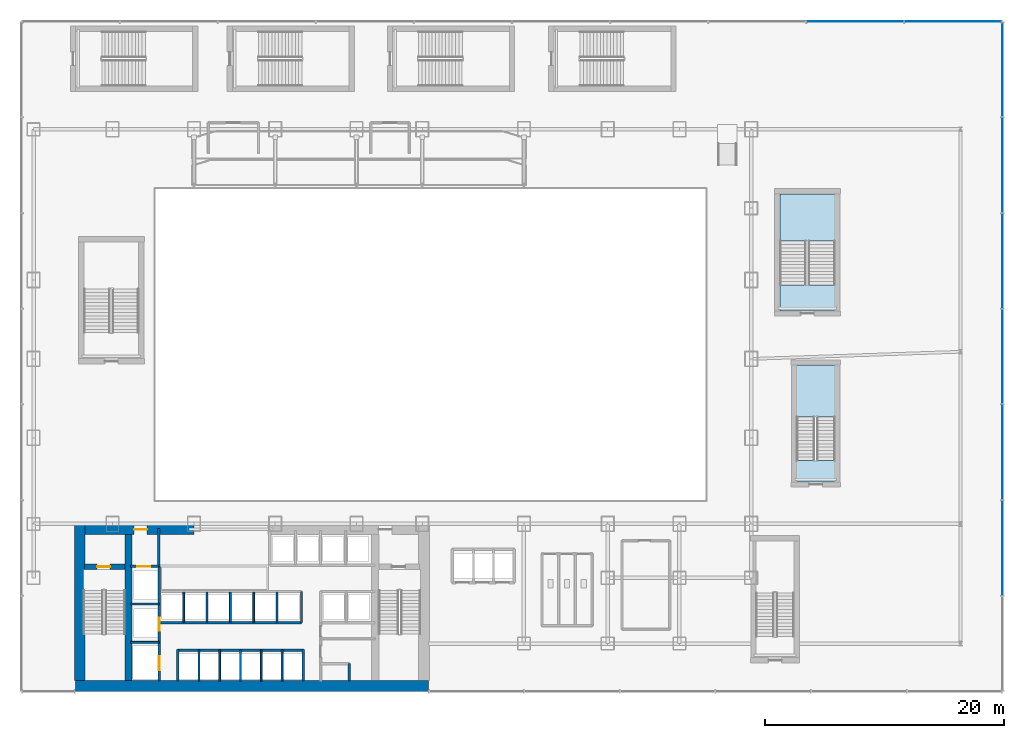
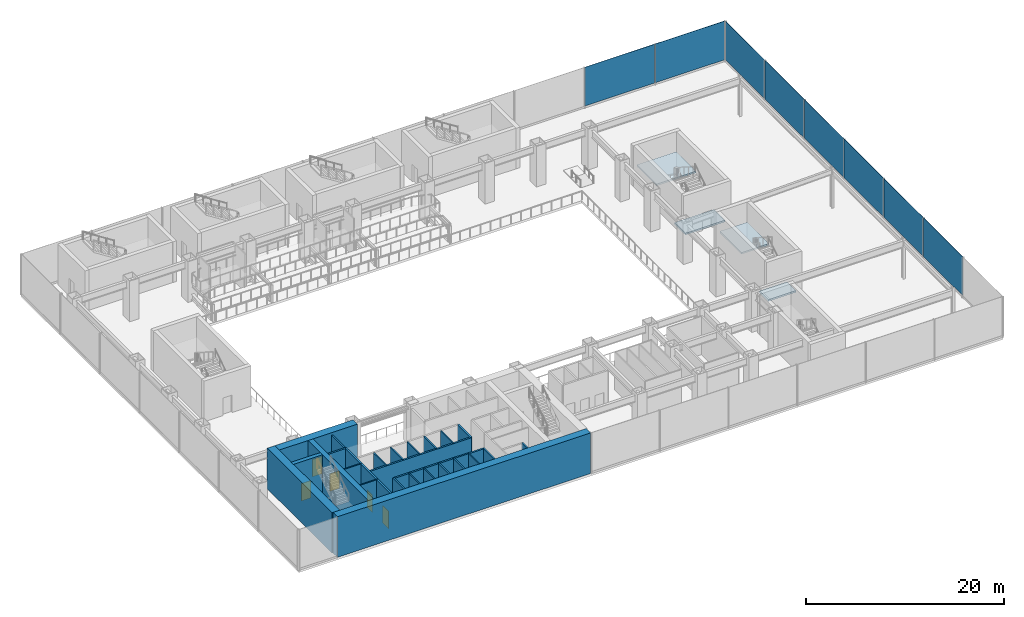
# One storey, part 28 of 39: 26 walls, 8 plates, 5 doors, 4 slabs, 5 openings, 4 elements without a shape of their own.
"""IFC4 building model written with IfcOpenShell, lengths in metres."""

from ifc_helpers import new_model, si_unit, derived_unit, direction, frame, frame_2d, origin, origin_2d, place, context, subcontext, project, spatial, polyline, rectangle, outline, extrude, source, transform, mapped, material, layer, layer_set, type_object, element, fill, aggregate, save


model = new_model("IFC4")

# Units and contexts
model_context = context("Model", 3, precision=1e-05, world=origin(), true_north=direction((0.0, 1.0)))
body_context = subcontext(model_context, "Body", "Model", "MODEL_VIEW")
ifc_project = project(units=[si_unit("LENGTHUNIT", "METRE"), si_unit("AREAUNIT", "SQUARE_METRE"), si_unit("VOLUMEUNIT", "CUBIC_METRE"), si_unit("PLANEANGLEUNIT", "RADIAN"), si_unit("MASSUNIT", "GRAM", prefix="KILO"), derived_unit("THERMALTRANSMITTANCEUNIT", [(si_unit("POWERUNIT", "WATT"), 1), (si_unit("LENGTHUNIT", "METRE"), -2), (si_unit("THERMODYNAMICTEMPERATUREUNIT", "KELVIN"), -1)])], contexts=[model_context])

# Site, building, storey
site_placement = place(None, origin())
site = spatial("IfcSite", under=ifc_project, at=site_placement, CompositionType="ELEMENT")
building_placement = place(site_placement, origin())
building = spatial("IfcBuilding", under=site, at=building_placement, Name="Skarnbrae Concourse Arena and Tower", CompositionType="ELEMENT")
storey_placement = place(building_placement, frame((0.0, 0.0, 16.0)))
storey = spatial("IfcBuildingStorey", under=building, at=storey_placement, Name="L03", CompositionType="ELEMENT", Elevation=16.0)

# Slab
ifc_material_1 = material(Name="Concrete 40 MPa (C40/50)", Category="concrete")
ifc_layer_1 = layer(ifc_material_1, 0.199951171875)
ifc_layer_set_1 = layer_set([ifc_layer_1], Name="Concrete 40 MPa (C40/50)")
slab_type = type_object("IfcSlabType", Name="SLAB-LANDING-200", PredefinedType="LANDING", material=ifc_layer_set_1)
slab_1_placement = place(storey_placement, frame((0.0, 0.0, -0.199951171875)))
element("IfcSlab", 1, at=slab_1_placement, inside=storey, type_object=slab_type, Name="L03 Stair ST-A2 near floor landing", PredefinedType="LANDING", context=body_context, shape_type="SweptSolid", body=[
    extrude(outline(polyline([(68.0, 17.5), (68.0, 19.300048828125), (64.800048828125, 19.300048828125), (64.800048828125, 17.5), (68.0, 17.5)])), origin(), (0.0, 0.0, 1.0), 0.199951171875),
])

# Stair, slab
stair_type_1 = type_object("IfcStairType", Name="STAIR-DOGLEG-1500", PredefinedType="HALF_TURN_STAIR", material=ifc_material_1)
stair_1_placement = place(storey_placement, origin())
stair_1 = element("IfcStair", 2, at=stair_1_placement, inside=storey, type_object=stair_type_1, Name="L03 Arena Exit Stair ST-A2", PredefinedType="HALF_TURN_STAIR")
slab_2_placement = place(storey_placement, frame((0.0, 0.0, 2.300048828125)))
slab_2 = element("IfcSlab", 3, at=slab_2_placement, type_object=slab_type, Name="ST-A2 landing 1", PredefinedType="LANDING", context=body_context, shape_type="SweptSolid", body=[
    extrude(outline(polyline([(68.0, 22.93994140625), (68.0, 27.300048828125), (64.800048828125, 27.300048828125), (64.800048828125, 22.93994140625), (68.0, 22.93994140625)])), origin(), (0.0, 0.0, 1.0), 0.199951171875),
])
aggregate(stair_1, [slab_2])

# Slab
slab_3_placement = place(storey_placement, frame((0.0, 0.0, -0.199951171875)))
element("IfcSlab", 4, at=slab_3_placement, inside=storey, type_object=slab_type, Name="L03 Stair ST-A4 near floor landing", PredefinedType="LANDING", context=body_context, shape_type="SweptSolid", body=[
    extrude(outline(polyline([(68.0, 31.800048828125), (68.0, 34.0), (63.39990234375, 34.0), (63.39990234375, 31.800048828125), (68.0, 31.800048828125)])), origin(), (0.0, 0.0, 1.0), 0.199951171875),
])

# Stair, slab
stair_type_2 = type_object("IfcStairType", Name="STAIR-DOGLEG-2200", PredefinedType="HALF_TURN_STAIR", material=ifc_material_1)
stair_2_placement = place(storey_placement, origin())
stair_2 = element("IfcStair", 5, at=stair_2_placement, inside=storey, type_object=stair_type_2, Name="L03 Arena Exit Stair ST-A4", PredefinedType="HALF_TURN_STAIR")
slab_4_placement = place(storey_placement, frame((0.0, 0.0, 2.300048828125)))
slab_4 = element("IfcSlab", 6, at=slab_4_placement, type_object=slab_type, Name="ST-A4 landing 1", PredefinedType="LANDING", context=body_context, shape_type="SweptSolid", body=[
    extrude(outline(polyline([(68.0, 37.639892578125), (68.0, 41.60009765625), (63.39990234375, 41.60009765625), (63.39990234375, 37.639892578125), (68.0, 37.639892578125)])), origin(), (0.0, 0.0, 1.0), 0.199951171875),
])
aggregate(stair_2, [slab_4])

# Curtain wall, plates
ifc_material_2 = material(Name="Bronze anodised aluminium 6063-T6", Category="aluminium")
curtain_wall_type = type_object("IfcCurtainWallType", Name="CW-SYS-01-PODIUM", PredefinedType="USERDEFINED", material=ifc_material_2)
curtain_wall_1_placement = place(storey_placement, origin())
curtain_wall_1 = element("IfcCurtainWall", 7, at=curtain_wall_1_placement, inside=storey, type_object=curtain_wall_type, Name="L03 Unitised curtain wall CW-L03-E", ObjectType="UNITISED CURTAIN WALL", PredefinedType="USERDEFINED")
ifc_material_3 = material(Name="Low-E triple insulating glass", Category="glass")
ifc_layer_2 = layer(ifc_material_3, 0.035888671875)
ifc_layer_set_2 = layer_set([ifc_layer_2], Name="Low-E triple insulating glass")
plate_type = type_object("IfcPlateType", Name="CWP-CW-01", PredefinedType="CURTAIN_PANEL", material=ifc_layer_set_2)
shared_shape_1 = source(origin(), body_context, "Body", "SweptSolid", [
    extrude(rectangle(XDim=7.87255859375, YDim=0.035888671875, at=origin_2d()), origin(), (0.0, 0.0, 1.0), 4.780029296875),
])
plate_1_placement = place(storey_placement, frame((82.0, 51.978759765625, 0.22021484375), z_axis=(0.0, 0.0, 1.0), x_axis=(0.0, 1.0, 0.0)))
plate_1 = element("IfcPlate", 8, at=plate_1_placement, type_object=plate_type, Name="CW-L03-E Low-E Glazing Panel 7", PredefinedType="CURTAIN_PANEL", context=body_context, shape_type="MappedRepresentation", body=[
    mapped(shared_shape_1, transform((0.0, 0.0, 0.0))),
])
shared_shape_2 = source(origin(), body_context, "Body", "SweptSolid", [
    extrude(rectangle(XDim=7.9150390625, YDim=0.035888671875, at=origin_2d()), origin(), (0.0, 0.0, 1.0), 4.780029296875),
])
plate_2_placement = place(storey_placement, frame((82.0, 12.0, 0.22021484375), z_axis=(0.0, 0.0, 1.0), x_axis=(0.0, 1.0, 0.0)))
plate_2 = element("IfcPlate", 9, at=plate_2_placement, type_object=plate_type, Name="CW-L03-E Low-E Glazing Panel 2", PredefinedType="CURTAIN_PANEL", context=body_context, shape_type="MappedRepresentation", body=[
    mapped(shared_shape_2, transform((0.0, 0.0, 0.0))),
])
plate_3_placement = place(storey_placement, frame((82.0, 20.0, 0.22021484375), z_axis=(0.0, 0.0, 1.0), x_axis=(0.0, 1.0, 0.0)))
plate_3 = element("IfcPlate", 10, at=plate_3_placement, type_object=plate_type, Name="CW-L03-E Low-E Glazing Panel 3", PredefinedType="CURTAIN_PANEL", context=body_context, shape_type="MappedRepresentation", body=[
    mapped(shared_shape_2, transform((0.0, 0.0, 0.0))),
])
plate_4_placement = place(storey_placement, frame((82.0, 28.0, 0.22021484375), z_axis=(0.0, 0.0, 1.0), x_axis=(0.0, 1.0, 0.0)))
plate_4 = element("IfcPlate", 11, at=plate_4_placement, type_object=plate_type, Name="CW-L03-E Low-E Glazing Panel 4", PredefinedType="CURTAIN_PANEL", context=body_context, shape_type="MappedRepresentation", body=[
    mapped(shared_shape_2, transform((0.0, 0.0, 0.0))),
])
plate_5_placement = place(storey_placement, frame((82.0, 36.0, 0.22021484375), z_axis=(0.0, 0.0, 1.0), x_axis=(0.0, 1.0, 0.0)))
plate_5 = element("IfcPlate", 12, at=plate_5_placement, type_object=plate_type, Name="CW-L03-E Low-E Glazing Panel 5", PredefinedType="CURTAIN_PANEL", context=body_context, shape_type="MappedRepresentation", body=[
    mapped(shared_shape_2, transform((0.0, 0.0, 0.0))),
])
plate_6_placement = place(storey_placement, frame((82.0, 44.0, 0.22021484375), z_axis=(0.0, 0.0, 1.0), x_axis=(0.0, 1.0, 0.0)))
plate_6 = element("IfcPlate", 13, at=plate_6_placement, type_object=plate_type, Name="CW-L03-E Low-E Glazing Panel 6", PredefinedType="CURTAIN_PANEL", context=body_context, shape_type="MappedRepresentation", body=[
    mapped(shared_shape_2, transform((0.0, 0.0, 0.0))),
])
aggregate(curtain_wall_1, [plate_2, plate_3, plate_4, plate_5, plate_6, plate_1])

curtain_wall_2_placement = place(storey_placement, origin())
curtain_wall_2 = element("IfcCurtainWall", 14, at=curtain_wall_2_placement, inside=storey, type_object=curtain_wall_type, Name="L03 Unitised curtain wall CW-L03-N", ObjectType="UNITISED CURTAIN WALL", PredefinedType="USERDEFINED")
shared_shape_3 = source(origin(), body_context, "Body", "SweptSolid", [
    extrude(rectangle(XDim=8.072509765625, YDim=0.035888671875, at=origin_2d()), origin(), (0.0, 0.0, 1.0), 4.780029296875),
])
plate_7_placement = place(storey_placement, frame((77.878662109375, 56.0, 0.22021484375), z_axis=(0.0, 0.0, 1.0), x_axis=(-1.0, 0.0, 0.0)))
plate_7 = element("IfcPlate", 15, at=plate_7_placement, type_object=plate_type, Name="CW-L03-N Low-E Glazing Panel 1", PredefinedType="CURTAIN_PANEL", context=body_context, shape_type="MappedRepresentation", body=[
    mapped(shared_shape_3, transform((0.0, 0.0, 0.0))),
])
shared_shape_4 = source(origin(), body_context, "Body", "SweptSolid", [
    extrude(rectangle(XDim=8.114990234375, YDim=0.035888671875, at=origin_2d()), origin(), (0.0, 0.0, 1.0), 4.780029296875),
])
plate_8_placement = place(storey_placement, frame((69.699951171875, 56.0, 0.22021484375), z_axis=(0.0, 0.0, 1.0), x_axis=(-1.0, 0.0, 0.0)))
plate_8 = element("IfcPlate", 16, at=plate_8_placement, type_object=plate_type, Name="CW-L03-N Low-E Glazing Panel 2", PredefinedType="CURTAIN_PANEL", context=body_context, shape_type="MappedRepresentation", body=[
    mapped(shared_shape_4, transform((0.0, 0.0, 0.0))),
])
aggregate(curtain_wall_2, [plate_7, plate_8])

# Walls
ifc_material_4 = material(Name="Concrete 70 MPa (C70/85)", Category="concrete")
ifc_layer_3 = layer(ifc_material_4, 0.89990234375)
ifc_layer_set_3 = layer_set([ifc_layer_3], Name="Concrete 70 MPa (C70/85)")
wall_type_1 = type_object("IfcWallType", Name="WALL-CORE-900-C70", PredefinedType="SHEAR", material=ifc_layer_set_3)
shared_shape_5 = source(origin(), body_context, "Body", "SweptSolid", [
    extrude(rectangle(XDim=29.5, YDim=0.89990234375, at=frame_2d((14.75, 0.0))), origin(), (0.0, 0.0, 1.0), 5.0),
])
wall_1_placement = place(storey_placement, frame((4.5, 0.449951171875, 0.0), z_axis=(0.0, 0.0, 1.0), x_axis=(1.0, 0.0, 0.0)))
element("IfcWall", 17, at=wall_1_placement, inside=storey, type_object=wall_type_1, Name="L03 Rear core shear wall CW-S", PredefinedType="SHEAR", context=body_context, shape_type="MappedRepresentation", body=[
    mapped(shared_shape_5, transform((0.0, 0.0, 0.0))),
])
shared_shape_6 = source(origin(), body_context, "Body", "SweptSolid", [
    extrude(rectangle(XDim=13.10009765625, YDim=0.89990234375, at=frame_2d((6.550048828125, 0.0))), origin(), (0.0, 0.0, 1.0), 5.0),
])
wall_2_placement = place(storey_placement, frame((4.85009765625, 0.89990234375, 0.0), z_axis=(0.0, 0.0, 1.0), x_axis=(0.0, 1.0, 0.0)))
element("IfcWall", 18, at=wall_2_placement, inside=storey, type_object=wall_type_1, Name="L03 Rear core shear wall CW-W", PredefinedType="SHEAR", context=body_context, shape_type="MappedRepresentation", body=[
    mapped(shared_shape_6, transform((0.0, 0.0, 0.0))),
])
ifc_layer_4 = layer(ifc_material_4, 0.60009765625)
ifc_layer_set_4 = layer_set([ifc_layer_4], Name="Concrete 70 MPa (C70/85)")
wall_type_2 = type_object("IfcWallType", Name="WALL-CORE-600-C70", PredefinedType="SHEAR", material=ifc_layer_set_4)
shared_shape_7 = source(origin(), body_context, "Body", "SweptSolid", [
    extrude(rectangle(XDim=12.2001953125, YDim=0.60009765625, at=frame_2d((6.10009765625, 0.0))), origin(), (0.0, 0.0, 1.0), 5.0),
])
wall_3_placement = place(storey_placement, frame((8.93994140625, 0.89990234375, 0.0), z_axis=(0.0, 0.0, 1.0), x_axis=(0.0, 1.0, 0.0)))
element("IfcWall", 19, at=wall_3_placement, inside=storey, type_object=wall_type_2, Name="L03 Rear core shear wall CW-WEB-W", PredefinedType="SHEAR", context=body_context, shape_type="MappedRepresentation", body=[
    mapped(shared_shape_7, transform((0.0, 0.0, 0.0))),
])

# Wall, opening, door
shared_shape_8 = source(origin(), body_context, "Body", "SweptSolid", [
    extrude(rectangle(XDim=9.099853515625, YDim=0.89990234375, at=frame_2d((4.5498046875, 0.0))), origin(), (0.0, 0.0, 1.0), 5.0),
])
wall_4_placement = place(storey_placement, frame((5.300048828125, 13.550048828125, 0.0), z_axis=(0.0, 0.0, 1.0), x_axis=(1.0, 0.0, 0.0)))
wall_4 = element("IfcWall", 20, at=wall_4_placement, inside=storey, type_object=wall_type_1, Name="L03 Rear core shear wall CW-NW", PredefinedType="SHEAR", context=body_context, shape_type="MappedRepresentation", body=[
    mapped(shared_shape_8, transform((0.0, 0.0, 0.0))),
])
opening_1_placement = place(wall_4_placement, frame((4.10009765625, 0.0, 0.0)))
opening_1 = element("IfcOpeningElement", 21, at=opening_1_placement, cuts=wall_4, Name="Opening DT-03", PredefinedType="OPENING", context=body_context, shape_type="SweptSolid", body=[
    extrude(rectangle(XDim=1.10009765625, YDim=2.14990234375, at=frame_2d((0.550048828125, 1.074951171875))), frame((0.0, 0.4599609375, 0.0), z_axis=(0.0, -1.0, 0.0), x_axis=(1.0, 0.0, 0.0)), (0.0, 0.0, 1.0), 0.919921875),
])
ifc_material_5 = material(Name="Steel CSA G40.21 350W", Category="steel")
door_type_1 = type_object("IfcDoorType", Name="DOOR-FIRE-1100-90M", OperationType="NOTDEFINED", PredefinedType="DOOR", material=ifc_material_5)
shared_shape_9 = source(origin(), body_context, "Body", "SweptSolid", [
    extrude(rectangle(XDim=1.10009765625, YDim=2.14990234375, at=frame_2d((0.550048828125, 1.074951171875))), frame((0.0, 0.02490234375, 0.0), z_axis=(0.0, -1.0, 0.0), x_axis=(1.0, 0.0, 0.0)), (0.0, 0.0, 1.0), 0.050048828125),
])
door_1_placement = place(opening_1_placement, origin())
door_1 = element("IfcDoor", 22, at=door_1_placement, inside=storey, type_object=door_type_1, Name="D-0257 Firefighting Lobby Exit Door", OperationType="SINGLE_SWING_RIGHT", OverallHeight=2.14990234375, OverallWidth=1.10009765625, PredefinedType="DOOR", context=body_context, shape_type="MappedRepresentation", body=[
    mapped(shared_shape_9, transform((0.0, 0.0, 0.0))),
])
fill(opening_1, door_1)

ifc_material_6 = material(Name="Concrete 50 MPa (C50/60)", Category="concrete")
ifc_layer_5 = layer(ifc_material_6, 0.449951171875)
ifc_layer_set_5 = layer_set([ifc_layer_5], Name="Concrete 50 MPa (C50/60)")
wall_type_3 = type_object("IfcWallType", Name="WALL-CORE-450-C50", PredefinedType="SHEAR", material=ifc_layer_set_5)
shared_shape_10 = source(origin(), body_context, "Body", "SweptSolid", [
    extrude(rectangle(XDim=3.389892578125, YDim=0.449951171875, at=frame_2d((1.69482421875, 0.0))), origin(), (0.0, 0.0, 1.0), 5.0),
])
wall_5_placement = place(storey_placement, frame((5.25, 10.419921875, 0.0), z_axis=(0.0, 0.0, 1.0), x_axis=(1.0, 0.0, 0.0)))
wall_5 = element("IfcWall", 23, at=wall_5_placement, inside=storey, type_object=wall_type_3, Name="L03 Rear core shear wall CW-ST1-N", PredefinedType="SHEAR", context=body_context, shape_type="MappedRepresentation", body=[
    mapped(shared_shape_10, transform((0.0, 0.0, 0.0))),
])
opening_2_placement = place(wall_5_placement, frame((1.050048828125, 0.0, 0.0)))
opening_2 = element("IfcOpeningElement", 24, at=opening_2_placement, cuts=wall_5, Name="Opening DT-03", PredefinedType="OPENING", context=body_context, shape_type="SweptSolid", body=[
    extrude(rectangle(XDim=1.10009765625, YDim=2.14990234375, at=frame_2d((0.550048828125, 1.074951171875))), frame((0.0, 0.23486328125, 0.0), z_axis=(0.0, -1.0, 0.0), x_axis=(1.0, 0.0, 0.0)), (0.0, 0.0, 1.0), 0.469970703125),
])
door_2_placement = place(opening_2_placement, frame((1.10009765625, 0.0, 0.0), z_axis=(0.0, 0.0, 1.0), x_axis=(-1.0, 0.0, 0.0)))
door_2 = element("IfcDoor", 25, at=door_2_placement, inside=storey, type_object=door_type_1, Name="D-0255 Stair ST-1 Door", OperationType="SINGLE_SWING_LEFT", OverallHeight=2.14990234375, OverallWidth=1.10009765625, PredefinedType="DOOR", context=body_context, shape_type="MappedRepresentation", body=[
    mapped(shared_shape_9, transform((0.0, 0.0, 0.0))),
])
fill(opening_2, door_2)

# Wall
ifc_material_7 = material(Name="Gypsum board on cold-formed steel studs", Category="steel")
ifc_layer_6 = layer(ifc_material_7, 0.199951171875)
ifc_layer_set_6 = layer_set([ifc_layer_6], Name="Gypsum board on cold-formed steel studs")
wall_type_4 = type_object("IfcWallType", Name="WALL-PART-200-2HR", PredefinedType="PARTITIONING", material=ifc_layer_set_6)
shared_shape_11 = source(origin(), body_context, "Body", "SweptSolid", [
    extrude(rectangle(XDim=3.18017578125, YDim=0.199951171875, at=frame_2d((1.590087890625, 0.0))), origin(), (0.0, 0.0, 1.0), 4.699951171875),
])
wall_6_placement = place(storey_placement, frame((11.449951171875, 10.419921875, 0.0), z_axis=(0.0, 0.0, 1.0), x_axis=(0.0, 1.0, 0.0)))
element("IfcWall", 26, at=wall_6_placement, inside=storey, type_object=wall_type_4, Name="L03 Interior partition wall W-L03-FFL-E", PredefinedType="PARTITIONING", context=body_context, shape_type="MappedRepresentation", body=[
    mapped(shared_shape_11, transform((0.0, 0.0, 0.0))),
])

# Wall, opening, door
shared_shape_12 = source(origin(), body_context, "Body", "SweptSolid", [
    extrude(rectangle(XDim=2.349853515625, YDim=0.199951171875, at=frame_2d((1.1748046875, 0.0))), origin(), (0.0, 0.0, 1.0), 4.699951171875),
])
wall_7_placement = place(storey_placement, frame((9.10009765625, 10.449951171875, 0.0), z_axis=(0.0, 0.0, 1.0), x_axis=(1.0, 0.0, 0.0)))
wall_7 = element("IfcWall", 27, at=wall_7_placement, inside=storey, type_object=wall_type_4, Name="L03 Interior partition wall W-L03-FL1-N", PredefinedType="PARTITIONING", context=body_context, shape_type="MappedRepresentation", body=[
    mapped(shared_shape_12, transform((0.0, 0.0, 0.0))),
])
opening_3_placement = place(wall_7_placement, frame((0.550048828125, 0.0, 0.0)))
opening_3 = element("IfcOpeningElement", 28, at=opening_3_placement, cuts=wall_7, Name="Opening LD-01", PredefinedType="OPENING", context=body_context, shape_type="SweptSolid", body=[
    extrude(rectangle(XDim=1.10009765625, YDim=2.14990234375, at=frame_2d((0.550048828125, 1.074951171875))), frame((0.0, 0.10986328125, 0.0), z_axis=(0.0, -1.0, 0.0), x_axis=(1.0, 0.0, 0.0)), (0.0, 0.0, 1.0), 0.219970703125),
])
door_type_2 = type_object("IfcDoorType", Name="DOOR-LIFT-SLIDE-1100", OperationType="SLIDING_TO_LEFT", PredefinedType="DOOR", material=ifc_material_5)
door_3_placement = place(opening_3_placement, origin())
door_3 = element("IfcDoor", 29, at=door_3_placement, inside=storey, type_object=door_type_2, Name="D-0259 Firefighting Lift Landing Door FL-01", OperationType="SLIDING_TO_LEFT", OverallHeight=2.14990234375, OverallWidth=1.10009765625, PredefinedType="DOOR", context=body_context, shape_type="MappedRepresentation", body=[
    mapped(shared_shape_9, transform((0.0, 0.0, 0.0))),
])
fill(opening_3, door_3)

# Wall, openings, doors
shared_shape_13 = source(origin(), body_context, "Body", "SweptSolid", [
    extrude(rectangle(XDim=9.599853515625, YDim=0.199951171875, at=frame_2d((4.7998046875, 0.0))), origin(), (0.0, 0.0, 1.0), 4.699951171875),
])
wall_8_placement = place(storey_placement, frame((11.5, 0.85009765625, 0.0), z_axis=(0.0, 0.0, 1.0), x_axis=(0.0, 1.0, 0.0)))
wall_8 = element("IfcWall", 30, at=wall_8_placement, inside=storey, type_object=wall_type_4, Name="L03 Interior partition wall W-L03-FL-E", PredefinedType="PARTITIONING", context=body_context, shape_type="MappedRepresentation", body=[
    mapped(shared_shape_13, transform((0.0, 0.0, 0.0))),
])
opening_4_placement = place(wall_8_placement, frame((4.199951171875, 0.0, 0.0)))
opening_4 = element("IfcOpeningElement", 31, at=opening_4_placement, cuts=wall_8, Name="Opening LD-01", PredefinedType="OPENING", context=body_context, shape_type="SweptSolid", body=[
    extrude(rectangle(XDim=1.10009765625, YDim=2.14990234375, at=frame_2d((0.550048828125, 1.074951171875))), frame((0.0, 0.10986328125, 0.0), z_axis=(0.0, -1.0, 0.0), x_axis=(1.0, 0.0, 0.0)), (0.0, 0.0, 1.0), 0.219970703125),
])
opening_5_placement = place(wall_8_placement, frame((0.89990234375, 0.0, 0.0)))
opening_5 = element("IfcOpeningElement", 32, at=opening_5_placement, cuts=wall_8, Name="Opening LD-02", PredefinedType="OPENING", context=body_context, shape_type="SweptSolid", body=[
    extrude(rectangle(XDim=1.199951171875, YDim=2.14990234375, at=frame_2d((0.60009765625, 1.074951171875))), frame((0.0, 0.10986328125, 0.0), z_axis=(0.0, -1.0, 0.0), x_axis=(1.0, 0.0, 0.0)), (0.0, 0.0, 1.0), 0.219970703125),
])
door_4_placement = place(opening_4_placement, frame((1.10009765625, 0.0, 0.0), z_axis=(0.0, 0.0, 1.0), x_axis=(-1.0, 0.0, 0.0)))
door_4 = element("IfcDoor", 33, at=door_4_placement, inside=storey, type_object=door_type_2, Name="D-0260 Firefighting Lift Landing Door FL-02", OperationType="SLIDING_TO_LEFT", OverallHeight=2.14990234375, OverallWidth=1.10009765625, PredefinedType="DOOR", context=body_context, shape_type="MappedRepresentation", body=[
    mapped(shared_shape_9, transform((0.0, 0.0, 0.0))),
])
fill(opening_4, door_4)
door_type_3 = type_object("IfcDoorType", Name="DOOR-LIFT-SLIDE-1200", OperationType="SLIDING_TO_LEFT", PredefinedType="DOOR", material=ifc_material_5)
shared_shape_14 = source(origin(), body_context, "Body", "SweptSolid", [
    extrude(rectangle(XDim=1.199951171875, YDim=2.14990234375, at=frame_2d((0.60009765625, 1.074951171875))), frame((0.0, 0.02490234375, 0.0), z_axis=(0.0, -1.0, 0.0), x_axis=(1.0, 0.0, 0.0)), (0.0, 0.0, 1.0), 0.050048828125),
])
door_5_placement = place(opening_5_placement, frame((1.199951171875, 0.0, 0.0), z_axis=(0.0, 0.0, 1.0), x_axis=(-1.0, 0.0, 0.0)))
door_5 = element("IfcDoor", 34, at=door_5_placement, inside=storey, type_object=door_type_3, Name="D-0261 Service Lift Landing Door SV-01", OperationType="SLIDING_TO_LEFT", OverallHeight=2.14990234375, OverallWidth=1.199951171875, PredefinedType="DOOR", context=body_context, shape_type="MappedRepresentation", body=[
    mapped(shared_shape_14, transform((0.0, 0.0, 0.0))),
])
fill(opening_5, door_5)

# Walls
ifc_layer_7 = layer(ifc_material_7, 0.14990234375)
ifc_layer_set_7 = layer_set([ifc_layer_7], Name="Gypsum board on cold-formed steel studs")
wall_type_5 = type_object("IfcWallType", Name="WALL-PART-150", PredefinedType="PARTITIONING", material=ifc_layer_set_7)
shared_shape_15 = source(origin(), body_context, "Body", "SweptSolid", [
    extrude(rectangle(XDim=2.39990234375, YDim=0.14990234375, at=frame_2d((1.199951171875, 0.0))), origin(), (0.0, 0.0, 1.0), 4.699951171875),
])
for number, where, z_axis, x_axis, name in (
    (35, (9.10009765625, 4.10009765625, 0.0), (0.0, 0.0, 1.0), (1.0, 0.0, 0.0), "L03 Interior partition wall W-L03-FL-D1"),
    (36, (9.10009765625, 7.300048828125, 0.0), (0.0, 0.0, 1.0), (1.0, 0.0, 0.0), "L03 Interior partition wall W-L03-FL-D2"),
):
    element("IfcWall", number, at=place(storey_placement, frame(where, z_axis=z_axis, x_axis=x_axis)), inside=storey, type_object=wall_type_5, Name=name, PredefinedType="PARTITIONING", context=body_context, shape_type="MappedRepresentation", body=[
        mapped(shared_shape_15, transform((0.0, 0.0, 0.0))),
    ])
shared_shape_16 = source(origin(), body_context, "Body", "SweptSolid", [
    extrude(rectangle(XDim=2.64990234375, YDim=0.199951171875, at=frame_2d((1.324951171875, 0.0))), origin(), (0.0, 0.0, 1.0), 4.699951171875),
])
for number, where, z_axis, x_axis, name in (
    (37, (13.050048828125, 0.85009765625, 0.0), (0.0, 0.0, 1.0), (0.0, 1.0, 0.0), "L03 Interior partition wall W-L03-B1-W"),
    (38, (23.550048828125, 0.85009765625, 0.0), (0.0, 0.0, 1.0), (0.0, 1.0, 0.0), "L03 Interior partition wall W-L03-B1-E"),
):
    element("IfcWall", number, at=place(storey_placement, frame(where, z_axis=z_axis, x_axis=x_axis)), inside=storey, type_object=wall_type_4, Name=name, PredefinedType="PARTITIONING", context=body_context, shape_type="MappedRepresentation", body=[
        mapped(shared_shape_16, transform((0.0, 0.0, 0.0))),
    ])
shared_shape_17 = source(origin(), body_context, "Body", "SweptSolid", [
    extrude(rectangle(XDim=11.849853515625, YDim=0.199951171875, at=frame_2d((5.9248046875, 0.0))), origin(), (0.0, 0.0, 1.0), 4.699951171875),
])
wall_9_placement = place(storey_placement, frame((11.550048828125, 5.75, 0.0), z_axis=(0.0, 0.0, 1.0), x_axis=(1.0, 0.0, 0.0)))
element("IfcWall", 39, at=wall_9_placement, inside=storey, type_object=wall_type_4, Name="L03 Interior partition wall W-L03-B2-S", PredefinedType="PARTITIONING", context=body_context, shape_type="MappedRepresentation", body=[
    mapped(shared_shape_17, transform((0.0, 0.0, 0.0))),
])
shared_shape_18 = source(origin(), body_context, "Body", "SweptSolid", [
    extrude(rectangle(XDim=2.60009765625, YDim=0.199951171875, at=frame_2d((1.300048828125, 0.0))), origin(), (0.0, 0.0, 1.0), 4.699951171875),
])
wall_10_placement = place(storey_placement, frame((23.39990234375, 5.75, 0.0), z_axis=(0.0, 0.0, 1.0), x_axis=(0.0, 1.0, 0.0)))
element("IfcWall", 40, at=wall_10_placement, inside=storey, type_object=wall_type_4, Name="L03 Interior partition wall W-L03-B2-E", PredefinedType="PARTITIONING", context=body_context, shape_type="MappedRepresentation", body=[
    mapped(shared_shape_18, transform((0.0, 0.0, 0.0))),
])
shared_shape_19 = source(origin(), body_context, "Body", "SweptSolid", [
    extrude(rectangle(XDim=1.5, YDim=0.199951171875, at=frame_2d((0.75, 0.0))), origin(), (0.0, 0.0, 1.0), 4.699951171875),
])
wall_11_placement = place(storey_placement, frame((27.39990234375, 0.85009765625, 0.0), z_axis=(0.0, 0.0, 1.0), x_axis=(0.0, 1.0, 0.0)))
element("IfcWall", 41, at=wall_11_placement, inside=storey, type_object=wall_type_4, Name="L03 Interior partition wall W-L03-MEP-E", PredefinedType="PARTITIONING", context=body_context, shape_type="MappedRepresentation", body=[
    mapped(shared_shape_19, transform((0.0, 0.0, 0.0))),
])
shared_shape_20 = source(origin(), body_context, "Body", "SweptSolid", [
    extrude(rectangle(XDim=10.5, YDim=0.199951171875, at=frame_2d((5.25, 0.0))), origin(), (0.0, 0.0, 1.0), 4.699951171875),
])
wall_12_placement = place(storey_placement, frame((13.050048828125, 3.449951171875, 0.0), z_axis=(0.0, 0.0, 1.0), x_axis=(1.0, 0.0, 0.0)))
element("IfcWall", 42, at=wall_12_placement, inside=storey, type_object=wall_type_4, Name="L03 Interior partition wall W-L03-B1-N", PredefinedType="PARTITIONING", context=body_context, shape_type="MappedRepresentation", body=[
    mapped(shared_shape_20, transform((0.0, 0.0, 0.0))),
])
shared_shape_21 = source(origin(), body_context, "Body", "SweptSolid", [
    extrude(rectangle(XDim=2.599853515625, YDim=0.14990234375, at=frame_2d((1.2998046875, 0.0))), origin(), (0.0, 0.0, 1.0), 4.699951171875),
])
for number, where, z_axis, x_axis, name in (
    (43, (14.820068359375, 0.85009765625, 0.0), (0.0, 0.0, 1.0), (0.0, 1.0, 0.0), "L03 Interior partition wall W-L03-B1-P1"),
    (44, (16.56005859375, 0.85009765625, 0.0), (0.0, 0.0, 1.0), (0.0, 1.0, 0.0), "L03 Interior partition wall W-L03-B1-P2"),
    (45, (18.300048828125, 0.85009765625, 0.0), (0.0, 0.0, 1.0), (0.0, 1.0, 0.0), "L03 Interior partition wall W-L03-B1-P3"),
    (46, (20.0400390625, 0.85009765625, 0.0), (0.0, 0.0, 1.0), (0.0, 1.0, 0.0), "L03 Interior partition wall W-L03-B1-P4"),
    (47, (21.780029296875, 0.85009765625, 0.0), (0.0, 0.0, 1.0), (0.0, 1.0, 0.0), "L03 Interior partition wall W-L03-B1-P5"),
):
    element("IfcWall", number, at=place(storey_placement, frame(where, z_axis=z_axis, x_axis=x_axis)), inside=storey, type_object=wall_type_5, Name=name, PredefinedType="PARTITIONING", context=body_context, shape_type="MappedRepresentation", body=[
        mapped(shared_shape_21, transform((0.0, 0.0, 0.0))),
    ])
shared_shape_22 = source(origin(), body_context, "Body", "SweptSolid", [
    extrude(rectangle(XDim=2.5, YDim=0.14990234375, at=frame_2d((1.25, 0.0))), origin(), (0.0, 0.0, 1.0), 4.699951171875),
])
for number, where, z_axis, x_axis, name in (
    (48, (13.550048828125, 5.800048828125, 0.0), (0.0, 0.0, 1.0), (0.0, 1.0, 0.0), "L03 Interior partition wall W-L03-B2-P1"),
    (49, (15.5, 5.800048828125, 0.0), (0.0, 0.0, 1.0), (0.0, 1.0, 0.0), "L03 Interior partition wall W-L03-B2-P2"),
    (50, (17.449951171875, 5.800048828125, 0.0), (0.0, 0.0, 1.0), (0.0, 1.0, 0.0), "L03 Interior partition wall W-L03-B2-P3"),
    (51, (19.39990234375, 5.800048828125, 0.0), (0.0, 0.0, 1.0), (0.0, 1.0, 0.0), "L03 Interior partition wall W-L03-B2-P4"),
    (52, (21.35009765625, 5.800048828125, 0.0), (0.0, 0.0, 1.0), (0.0, 1.0, 0.0), "L03 Interior partition wall W-L03-B2-P5"),
):
    element("IfcWall", number, at=place(storey_placement, frame(where, z_axis=z_axis, x_axis=x_axis)), inside=storey, type_object=wall_type_5, Name=name, PredefinedType="PARTITIONING", context=body_context, shape_type="MappedRepresentation", body=[
        mapped(shared_shape_22, transform((0.0, 0.0, 0.0))),
    ])

save(model, "model.ifc")
